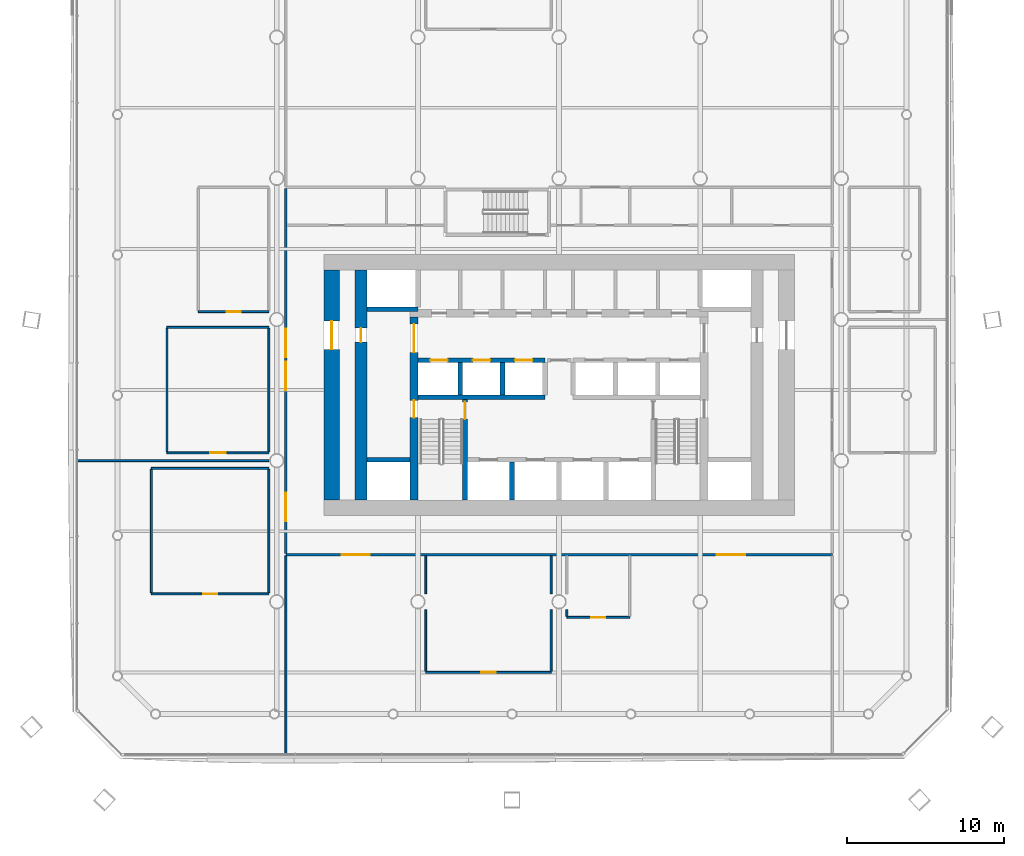
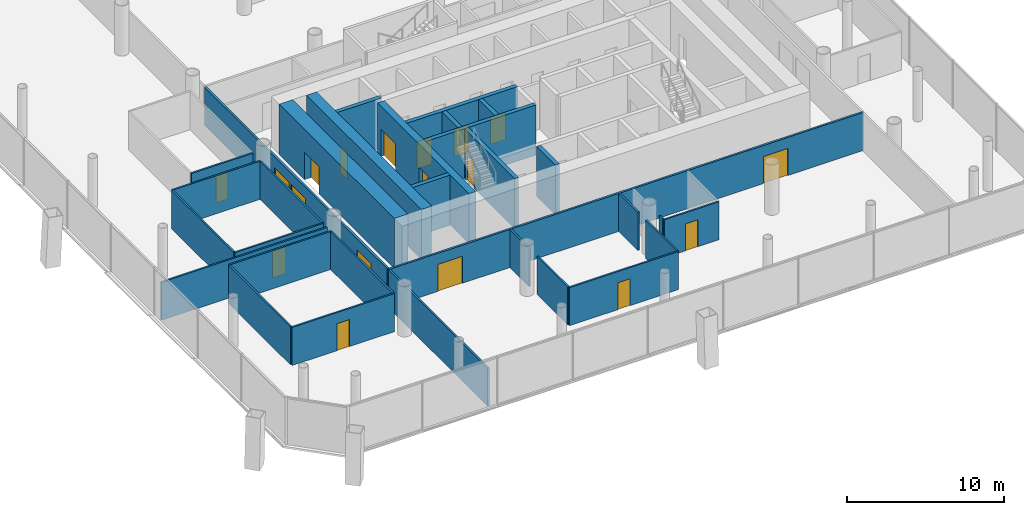
# One storey, part 15 of 23: 31 walls, 18 doors, 18 openings.
"""IFC4 building model written with IfcOpenShell, lengths in metres."""

from ifc_helpers import new_model, si_unit, direction, frame, frame_2d, origin, place, context, subcontext, project, spatial, rectangle, extrude, material, layer, layer_set, type_object, element, fill, save


model = new_model("IFC4")

# Units and contexts
model_context = context("Model", 3, precision=1e-05, world=origin(), true_north=direction((0.0, 1.0)))
body_context = subcontext(model_context, "Body", "Model", "MODEL_VIEW")
ifc_project = project(units=[si_unit("LENGTHUNIT", "METRE"), si_unit("AREAUNIT", "SQUARE_METRE"), si_unit("VOLUMEUNIT", "CUBIC_METRE"), si_unit("PLANEANGLEUNIT", "RADIAN"), si_unit("MASSUNIT", "GRAM", prefix="KILO")], contexts=[model_context])

# Site, building, storey
site_placement = place(None, origin())
site = spatial("IfcSite", under=ifc_project, at=site_placement, CompositionType="ELEMENT")
building_placement = place(site_placement, origin())
building = spatial("IfcBuilding", under=site, at=building_placement, Name="Tskaro Facet Tower", CompositionType="ELEMENT")
storey_placement = place(building_placement, frame((0.0, 0.0, 14.699951171875)))
storey = spatial("IfcBuildingStorey", under=building, at=storey_placement, Name="L02", CompositionType="ELEMENT", Elevation=14.699951171875)

# Walls
ifc_material_1 = material(Name="Concrete C60/75", Category="concrete")
ifc_layer_1 = layer(ifc_material_1, 0.300048828125, Name="Concrete C60/75")
ifc_layer_set_1 = layer_set([ifc_layer_1], Name="Concrete C60/75")
wall_type_1 = type_object("IfcWallType", Name="CORE-SHAFT", PredefinedType="SHEAR", material=ifc_layer_set_1)
wall_1_placement = place(storey_placement, frame((-12.25, -8.949951171875, 0.0), z_axis=(0.0, 0.0, 1.0), x_axis=(1.0, 0.0, 0.0)))
element("IfcWall", 1, at=wall_1_placement, inside=storey, type_object=wall_type_1, Name="Shaft wall W007", PredefinedType="SHEAR", context=body_context, shape_type="SweptSolid", body=[
    extrude(rectangle(XDim=2.75, YDim=0.300048828125, at=frame_2d((1.375, 0.0))), origin(), (0.0, 0.0, 1.0), 3.900146484375),
])
wall_2_placement = place(storey_placement, frame((-9.0, -4.949951171875, 0.0), z_axis=(0.0, 0.0, 1.0), x_axis=(1.0, 0.0, 0.0)))
element("IfcWall", 2, at=wall_2_placement, inside=storey, type_object=wall_type_1, Name="Shaft wall W012", PredefinedType="SHEAR", context=body_context, shape_type="SweptSolid", body=[
    extrude(rectangle(XDim=8.10009765625, YDim=0.300048828125, at=frame_2d((4.050048828125, 0.0))), origin(), (0.0, 0.0, 1.0), 3.900146484375),
])

# Wall, openings, doors
wall_3_placement = place(storey_placement, frame((-9.0, -2.60009765625, 0.0), z_axis=(0.0, 0.0, 1.0), x_axis=(1.0, 0.0, 0.0)))
wall_3 = element("IfcWall", 3, at=wall_3_placement, inside=storey, type_object=wall_type_1, Name="Shaft wall W014", PredefinedType="SHEAR", context=body_context, shape_type="SweptSolid", body=[
    extrude(rectangle(XDim=8.10009765625, YDim=0.300048828125, at=frame_2d((4.050048828125, 0.0))), origin(), (0.0, 0.0, 1.0), 3.900146484375),
])
opening_1_placement = place(wall_3_placement, frame((0.800048828125, 0.0, 0.0)))
opening_1 = element("IfcOpeningElement", 4, at=opening_1_placement, cuts=wall_3, Name="Opening LD-LR1", PredefinedType="OPENING", context=body_context, shape_type="SweptSolid", body=[
    extrude(rectangle(XDim=1.10009765625, YDim=2.10009765625, at=frame_2d((0.550048828125, 1.050048828125))), frame((0.0, 0.159912109375, 0.0), z_axis=(0.0, -1.0, 0.0), x_axis=(1.0, 0.0, 0.0)), (0.0, 0.0, 1.0), 0.320068359375),
])
opening_2_placement = place(wall_3_placement, frame((3.5, 0.0, 0.0)))
opening_2 = element("IfcOpeningElement", 5, at=opening_2_placement, cuts=wall_3, Name="Opening LD-LR2", PredefinedType="OPENING", context=body_context, shape_type="SweptSolid", body=[
    extrude(rectangle(XDim=1.10009765625, YDim=2.10009765625, at=frame_2d((0.550048828125, 1.050048828125))), frame((0.0, 0.159912109375, 0.0), z_axis=(0.0, -1.0, 0.0), x_axis=(1.0, 0.0, 0.0)), (0.0, 0.0, 1.0), 0.320068359375),
])
opening_3_placement = place(wall_3_placement, frame((6.199951171875, 0.0, 0.0)))
opening_3 = element("IfcOpeningElement", 6, at=opening_3_placement, cuts=wall_3, Name="Opening LD-LR3", PredefinedType="OPENING", context=body_context, shape_type="SweptSolid", body=[
    extrude(rectangle(XDim=1.10009765625, YDim=2.10009765625, at=frame_2d((0.550048828125, 1.050048828125))), frame((0.0, 0.159912109375, 0.0), z_axis=(0.0, -1.0, 0.0), x_axis=(1.0, 0.0, 0.0)), (0.0, 0.0, 1.0), 0.320068359375),
])
ifc_material_2 = material(Name="Stainless steel", Category="steel")
door_type_1 = type_object("IfcDoorType", Name="D-LANDING", OperationType="NOTDEFINED", PredefinedType="DOOR", material=ifc_material_2)
door_1_placement = place(opening_1_placement, origin())
door_1 = element("IfcDoor", 7, at=door_1_placement, inside=storey, type_object=door_type_1, Name="Landing door LR1", OperationType="DOUBLE_DOOR_SLIDING", OverallHeight=2.10009765625, OverallWidth=1.10009765625, PredefinedType="DOOR", context=body_context, shape_type="SweptSolid", body=[
    extrude(rectangle(XDim=1.10009765625, YDim=2.10009765625, at=frame_2d((0.550048828125, 1.050048828125))), frame((0.0, 0.02490234375, 0.0), z_axis=(0.0, -1.0, 0.0), x_axis=(1.0, 0.0, 0.0)), (0.0, 0.0, 1.0), 0.050048828125),
])
fill(opening_1, door_1)
door_2_placement = place(opening_2_placement, origin())
door_2 = element("IfcDoor", 8, at=door_2_placement, inside=storey, type_object=door_type_1, Name="Landing door LR2", OperationType="DOUBLE_DOOR_SLIDING", OverallHeight=2.10009765625, OverallWidth=1.10009765625, PredefinedType="DOOR", context=body_context, shape_type="SweptSolid", body=[
    extrude(rectangle(XDim=1.10009765625, YDim=2.10009765625, at=frame_2d((0.550048828125, 1.050048828125))), frame((0.0, 0.02490234375, 0.0), z_axis=(0.0, -1.0, 0.0), x_axis=(1.0, 0.0, 0.0)), (0.0, 0.0, 1.0), 0.050048828125),
])
fill(opening_2, door_2)
door_3_placement = place(opening_3_placement, origin())
door_3 = element("IfcDoor", 9, at=door_3_placement, inside=storey, type_object=door_type_1, Name="Landing door LR3", OperationType="DOUBLE_DOOR_SLIDING", OverallHeight=2.10009765625, OverallWidth=1.10009765625, PredefinedType="DOOR", context=body_context, shape_type="SweptSolid", body=[
    extrude(rectangle(XDim=1.10009765625, YDim=2.10009765625, at=frame_2d((0.550048828125, 1.050048828125))), frame((0.0, 0.02490234375, 0.0), z_axis=(0.0, -1.0, 0.0), x_axis=(1.0, 0.0, 0.0)), (0.0, 0.0, 1.0), 0.050048828125),
])
fill(opening_3, door_3)

# Walls
wall_4_placement = place(storey_placement, frame((-9.0, 0.64990234375, 0.0), z_axis=(0.0, 0.0, 1.0), x_axis=(-1.0, 0.0, 0.0)))
element("IfcWall", 10, at=wall_4_placement, inside=storey, type_object=wall_type_1, Name="Shaft wall W022", PredefinedType="SHEAR", context=body_context, shape_type="SweptSolid", body=[
    extrude(rectangle(XDim=3.25, YDim=0.300048828125, at=frame_2d((1.625, 0.0))), origin(), (0.0, 0.0, 1.0), 3.900146484375),
])
wall_5_placement = place(storey_placement, frame((-6.300048828125, -4.800048828125, 0.0), z_axis=(0.0, 0.0, 1.0), x_axis=(0.0, 1.0, 0.0)))
element("IfcWall", 11, at=wall_5_placement, inside=storey, type_object=wall_type_1, Name="Shaft wall W051", PredefinedType="SHEAR", context=body_context, shape_type="SweptSolid", body=[
    extrude(rectangle(XDim=2.050048828125, YDim=0.300048828125, at=frame_2d((1.02490234375, 0.0))), origin(), (0.0, 0.0, 1.0), 3.900146484375),
])

# Wall, opening, door
wall_6_placement = place(storey_placement, frame((-6.0, -11.5, 0.0), z_axis=(0.0, 0.0, 1.0), x_axis=(0.0, 1.0, 0.0)))
wall_6 = element("IfcWall", 12, at=wall_6_placement, inside=storey, type_object=wall_type_1, Name="Shaft wall W053", PredefinedType="SHEAR", context=body_context, shape_type="SweptSolid", body=[
    extrude(rectangle(XDim=6.39990234375, YDim=0.300048828125, at=frame_2d((3.199951171875, 0.0))), origin(), (0.0, 0.0, 1.0), 3.900146484375),
])
opening_4_placement = place(wall_6_placement, frame((5.14990234375, 0.0, 0.0)))
opening_4 = element("IfcOpeningElement", 13, at=opening_4_placement, cuts=wall_6, Name="Opening ST-1-D1", PredefinedType="OPENING", context=body_context, shape_type="SweptSolid", body=[
    extrude(rectangle(XDim=1.10009765625, YDim=2.10009765625, at=frame_2d((0.550048828125, 1.050048828125))), frame((0.0, 0.159912109375, 0.0), z_axis=(0.0, -1.0, 0.0), x_axis=(1.0, 0.0, 0.0)), (0.0, 0.0, 1.0), 0.320068359375),
])
ifc_material_3 = material(Name="Steel", Category="steel")
door_type_2 = type_object("IfcDoorType", Name="D-STAIR", OperationType="NOTDEFINED", PredefinedType="DOOR", material=ifc_material_3)
door_4_placement = place(opening_4_placement, origin())
door_4 = element("IfcDoor", 14, at=door_4_placement, inside=storey, type_object=door_type_2, Name="Stair door 1", OperationType="SINGLE_SWING_LEFT", OverallHeight=2.10009765625, OverallWidth=1.10009765625, PredefinedType="DOOR", context=body_context, shape_type="SweptSolid", body=[
    extrude(rectangle(XDim=1.10009765625, YDim=2.10009765625, at=frame_2d((0.550048828125, 1.050048828125))), frame((0.0, 0.02490234375, 0.0), z_axis=(0.0, -1.0, 0.0), x_axis=(1.0, 0.0, 0.0)), (0.0, 0.0, 1.0), 0.050048828125),
])
fill(opening_4, door_4)

# Walls
wall_7_placement = place(storey_placement, frame((-3.60009765625, -4.800048828125, 0.0), z_axis=(0.0, 0.0, 1.0), x_axis=(0.0, 1.0, 0.0)))
element("IfcWall", 15, at=wall_7_placement, inside=storey, type_object=wall_type_1, Name="Shaft wall W054", PredefinedType="SHEAR", context=body_context, shape_type="SweptSolid", body=[
    extrude(rectangle(XDim=2.050048828125, YDim=0.300048828125, at=frame_2d((1.02490234375, 0.0))), origin(), (0.0, 0.0, 1.0), 3.900146484375),
])
wall_8_placement = place(storey_placement, frame((-3.0, -11.5, 0.0), z_axis=(0.0, 0.0, 1.0), x_axis=(0.0, 1.0, 0.0)))
element("IfcWall", 16, at=wall_8_placement, inside=storey, type_object=wall_type_1, Name="Shaft wall W056", PredefinedType="SHEAR", context=body_context, shape_type="SweptSolid", body=[
    extrude(rectangle(XDim=2.39990234375, YDim=0.300048828125, at=frame_2d((1.199951171875, 0.0))), origin(), (0.0, 0.0, 1.0), 3.900146484375),
])

# Wall, opening, door
ifc_layer_2 = layer(ifc_material_1, 1.0, Name="Concrete C60/75")
ifc_layer_set_2 = layer_set([ifc_layer_2], Name="Concrete C60/75")
wall_type_2 = type_object("IfcWallType", Name="Core wall 1000", PredefinedType="SHEAR", material=ifc_layer_set_2)
wall_9_placement = place(storey_placement, frame((-14.5, -11.5, 0.0), z_axis=(0.0, 0.0, 1.0), x_axis=(0.0, 1.0, 0.0)))
wall_9 = element("IfcWall", 17, at=wall_9_placement, inside=storey, type_object=wall_type_2, Name="Core wall CW-Z1W", PredefinedType="SHEAR", context=body_context, shape_type="SweptSolid", body=[
    extrude(rectangle(XDim=14.64990234375, YDim=1.0, at=frame_2d((7.324951171875, 0.0))), origin(), (0.0, 0.0, 1.0), 3.900146484375),
])
opening_5_placement = place(wall_9_placement, frame((9.60009765625, 0.0, 0.0)))
opening_5 = element("IfcOpeningElement", 18, at=opening_5_placement, cuts=wall_9, Name="Opening T0-D17", PredefinedType="OPENING", context=body_context, shape_type="SweptSolid", body=[
    extrude(rectangle(XDim=1.800048828125, YDim=2.10009765625, at=frame_2d((0.89990234375, 1.050048828125))), frame((0.0, 0.510009765625, 0.0), z_axis=(0.0, -1.0, 0.0), x_axis=(1.0, 0.0, 0.0)), (0.0, 0.0, 1.0), 1.02001953125),
])
door_type_3 = type_object("IfcDoorType", Name="D-CORE-PAIR", OperationType="NOTDEFINED", PredefinedType="DOOR", material=ifc_material_3)
door_5_placement = place(opening_5_placement, origin())
door_5 = element("IfcDoor", 19, at=door_5_placement, inside=storey, type_object=door_type_3, Name="Door T0-D17", OperationType="DOUBLE_DOOR_SINGLE_SWING", OverallHeight=2.10009765625, OverallWidth=1.800048828125, PredefinedType="DOOR", context=body_context, shape_type="SweptSolid", body=[
    extrude(rectangle(XDim=1.800048828125, YDim=2.10009765625, at=frame_2d((0.89990234375, 1.050048828125))), frame((0.0, 0.02490234375, 0.0), z_axis=(0.0, -1.0, 0.0), x_axis=(1.0, 0.0, 0.0)), (0.0, 0.0, 1.0), 0.050048828125),
])
fill(opening_5, door_5)

# Wall, openings, doors
ifc_material_4 = material(Name="Concrete C40/50", Category="concrete")
ifc_layer_3 = layer(ifc_material_4, 0.5, Name="Concrete C40/50")
ifc_layer_set_3 = layer_set([ifc_layer_3], Name="Concrete C40/50")
wall_type_3 = type_object("IfcWallType", Name="Core wall 500", PredefinedType="SHEAR", material=ifc_layer_set_3)
wall_10_placement = place(storey_placement, frame((-9.25, -11.5, 0.0), z_axis=(0.0, 0.0, 1.0), x_axis=(0.0, 1.0, 0.0)))
wall_10 = element("IfcWall", 20, at=wall_10_placement, inside=storey, type_object=wall_type_3, Name="Core wall CW-Z3W", PredefinedType="SHEAR", context=body_context, shape_type="SweptSolid", body=[
    extrude(rectangle(XDim=11.64990234375, YDim=0.5, at=frame_2d((5.824951171875, 0.0))), origin(), (0.0, 0.0, 1.0), 3.900146484375),
])
opening_6_placement = place(wall_10_placement, frame((9.39990234375, 0.0, 0.0)))
opening_6 = element("IfcOpeningElement", 21, at=opening_6_placement, cuts=wall_10, Name="Opening T0-D15", PredefinedType="OPENING", context=body_context, shape_type="SweptSolid", body=[
    extrude(rectangle(XDim=1.800048828125, YDim=2.10009765625, at=frame_2d((0.89990234375, 1.050048828125))), frame((0.0, 0.260009765625, 0.0), z_axis=(0.0, -1.0, 0.0), x_axis=(1.0, 0.0, 0.0)), (0.0, 0.0, 1.0), 0.52001953125),
])
opening_7_placement = place(wall_10_placement, frame((5.25, 0.0, 0.0)))
opening_7 = element("IfcOpeningElement", 22, at=opening_7_placement, cuts=wall_10, Name="Opening ST-1-D2", PredefinedType="OPENING", context=body_context, shape_type="SweptSolid", body=[
    extrude(rectangle(XDim=1.10009765625, YDim=2.10009765625, at=frame_2d((0.550048828125, 1.050048828125))), frame((0.0, 0.260009765625, 0.0), z_axis=(0.0, -1.0, 0.0), x_axis=(1.0, 0.0, 0.0)), (0.0, 0.0, 1.0), 0.52001953125),
])
door_6_placement = place(opening_6_placement, origin())
door_6 = element("IfcDoor", 23, at=door_6_placement, inside=storey, type_object=door_type_3, Name="Door T0-D15", OperationType="DOUBLE_DOOR_SINGLE_SWING", OverallHeight=2.10009765625, OverallWidth=1.800048828125, PredefinedType="DOOR", context=body_context, shape_type="SweptSolid", body=[
    extrude(rectangle(XDim=1.800048828125, YDim=2.10009765625, at=frame_2d((0.89990234375, 1.050048828125))), frame((0.0, 0.02490234375, 0.0), z_axis=(0.0, -1.0, 0.0), x_axis=(1.0, 0.0, 0.0)), (0.0, 0.0, 1.0), 0.050048828125),
])
fill(opening_6, door_6)
door_7_placement = place(opening_7_placement, origin())
door_7 = element("IfcDoor", 24, at=door_7_placement, inside=storey, type_object=door_type_2, Name="Stair door 1 west", OperationType="SINGLE_SWING_LEFT", OverallHeight=2.10009765625, OverallWidth=1.10009765625, PredefinedType="DOOR", context=body_context, shape_type="SweptSolid", body=[
    extrude(rectangle(XDim=1.10009765625, YDim=2.10009765625, at=frame_2d((0.550048828125, 1.050048828125))), frame((0.0, 0.02490234375, 0.0), z_axis=(0.0, -1.0, 0.0), x_axis=(1.0, 0.0, 0.0)), (0.0, 0.0, 1.0), 0.050048828125),
])
fill(opening_7, door_7)

# Wall, opening, door
ifc_material_5 = material(Name="Concrete C50/60", Category="concrete")
ifc_layer_4 = layer(ifc_material_5, 0.75, Name="Concrete C50/60")
ifc_layer_set_4 = layer_set([ifc_layer_4], Name="Concrete C50/60")
wall_type_4 = type_object("IfcWallType", Name="Core wall 750", PredefinedType="SHEAR", material=ifc_layer_set_4)
wall_11_placement = place(storey_placement, frame((-12.625, -11.5, 0.0), z_axis=(0.0, 0.0, 1.0), x_axis=(0.0, 1.0, 0.0)))
wall_11 = element("IfcWall", 25, at=wall_11_placement, inside=storey, type_object=wall_type_4, Name="Core wall CW-Z2W", PredefinedType="SHEAR", context=body_context, shape_type="SweptSolid", body=[
    extrude(rectangle(XDim=14.64990234375, YDim=0.75, at=frame_2d((7.324951171875, 0.0))), origin(), (0.0, 0.0, 1.0), 3.900146484375),
])
opening_8_placement = place(wall_11_placement, frame((10.050048828125, 0.0, 0.0)))
opening_8 = element("IfcOpeningElement", 26, at=opening_8_placement, cuts=wall_11, Name="Opening T0-D18", PredefinedType="OPENING", context=body_context, shape_type="SweptSolid", body=[
    extrude(rectangle(XDim=0.89990234375, YDim=2.10009765625, at=frame_2d((0.449951171875, 1.050048828125))), frame((0.0, 0.385009765625, 0.0), z_axis=(0.0, -1.0, 0.0), x_axis=(1.0, 0.0, 0.0)), (0.0, 0.0, 1.0), 0.77001953125),
])
ifc_material_6 = material(Name="Timber", Category="wood")
door_type_4 = type_object("IfcDoorType", Name="D-ROOM", OperationType="NOTDEFINED", PredefinedType="DOOR", material=ifc_material_6)
door_8_placement = place(opening_8_placement, origin())
door_8 = element("IfcDoor", 27, at=door_8_placement, inside=storey, type_object=door_type_4, Name="Door T0-D18", OperationType="SINGLE_SWING_LEFT", OverallHeight=2.10009765625, OverallWidth=0.89990234375, PredefinedType="DOOR", context=body_context, shape_type="SweptSolid", body=[
    extrude(rectangle(XDim=0.89990234375, YDim=2.10009765625, at=frame_2d((0.449951171875, 1.050048828125))), frame((0.0, 0.02490234375, 0.0), z_axis=(0.0, -1.0, 0.0), x_axis=(1.0, 0.0, 0.0)), (0.0, 0.0, 1.0), 0.050048828125),
])
fill(opening_8, door_8)

ifc_material_7 = material(Name="Gypsum board on steel studs", Category="steel")
ifc_layer_5 = layer(ifc_material_7, 0.125, Name="Gypsum board on steel studs")
ifc_layer_set_5 = layer_set([ifc_layer_5], Name="Gypsum board on steel studs")
wall_type_5 = type_object("IfcWallType", Name="PART", PredefinedType="PARTITIONING", material=ifc_layer_set_5)
wall_12_placement = place(storey_placement, frame((-8.5, -22.5, 0.0), z_axis=(0.0, 0.0, 1.0), x_axis=(1.0, 0.0, 0.0)))
wall_12 = element("IfcWall", 28, at=wall_12_placement, inside=storey, type_object=wall_type_5, Name="Partition W001", PredefinedType="PARTITIONING", context=body_context, shape_type="SweptSolid", body=[
    extrude(rectangle(XDim=8.0, YDim=0.125, at=frame_2d((4.0, 0.0))), origin(), (0.0, 0.0, 1.0), 2.9599609375),
])
opening_9_placement = place(wall_12_placement, frame((3.550048828125, 0.0, 0.0)))
opening_9 = element("IfcOpeningElement", 29, at=opening_9_placement, cuts=wall_12, Name="Opening T0-D01", PredefinedType="OPENING", context=body_context, shape_type="SweptSolid", body=[
    extrude(rectangle(XDim=0.89990234375, YDim=2.10009765625, at=frame_2d((0.449951171875, 1.050048828125))), frame((0.0, 0.072509765625, 0.0), z_axis=(0.0, -1.0, 0.0), x_axis=(1.0, 0.0, 0.0)), (0.0, 0.0, 1.0), 0.14501953125),
])
door_9_placement = place(opening_9_placement, origin())
door_9 = element("IfcDoor", 30, at=door_9_placement, inside=storey, type_object=door_type_4, Name="Door T0-D01", OperationType="SINGLE_SWING_LEFT", OverallHeight=2.10009765625, OverallWidth=0.89990234375, PredefinedType="DOOR", context=body_context, shape_type="SweptSolid", body=[
    extrude(rectangle(XDim=0.89990234375, YDim=2.10009765625, at=frame_2d((0.449951171875, 1.050048828125))), frame((0.0, 0.02490234375, 0.0), z_axis=(0.0, -1.0, 0.0), x_axis=(1.0, 0.0, 0.0)), (0.0, 0.0, 1.0), 0.050048828125),
])
fill(opening_9, door_9)

wall_13_placement = place(storey_placement, frame((0.5, -19.0, 0.0), z_axis=(0.0, 0.0, 1.0), x_axis=(1.0, 0.0, 0.0)))
wall_13 = element("IfcWall", 31, at=wall_13_placement, inside=storey, type_object=wall_type_5, Name="Partition W002", PredefinedType="PARTITIONING", context=body_context, shape_type="SweptSolid", body=[
    extrude(rectangle(XDim=4.0, YDim=0.125, at=frame_2d((2.0, 0.0))), origin(), (0.0, 0.0, 1.0), 2.9599609375),
])
opening_10_placement = place(wall_13_placement, frame((1.550048828125, 0.0, 0.0)))
opening_10 = element("IfcOpeningElement", 32, at=opening_10_placement, cuts=wall_13, Name="Opening T0-D02", PredefinedType="OPENING", context=body_context, shape_type="SweptSolid", body=[
    extrude(rectangle(XDim=0.89990234375, YDim=2.10009765625, at=frame_2d((0.449951171875, 1.050048828125))), frame((0.0, 0.072509765625, 0.0), z_axis=(0.0, -1.0, 0.0), x_axis=(1.0, 0.0, 0.0)), (0.0, 0.0, 1.0), 0.14501953125),
])
door_10_placement = place(opening_10_placement, origin())
door_10 = element("IfcDoor", 33, at=door_10_placement, inside=storey, type_object=door_type_4, Name="Door T0-D02", OperationType="SINGLE_SWING_LEFT", OverallHeight=2.10009765625, OverallWidth=0.89990234375, PredefinedType="DOOR", context=body_context, shape_type="SweptSolid", body=[
    extrude(rectangle(XDim=0.89990234375, YDim=2.10009765625, at=frame_2d((0.449951171875, 1.050048828125))), frame((0.0, 0.02490234375, 0.0), z_axis=(0.0, -1.0, 0.0), x_axis=(1.0, 0.0, 0.0)), (0.0, 0.0, 1.0), 0.050048828125),
])
fill(opening_10, door_10)

wall_14_placement = place(storey_placement, frame((-26.0, -17.5, 0.0), z_axis=(0.0, 0.0, 1.0), x_axis=(1.0, 0.0, 0.0)))
wall_14 = element("IfcWall", 34, at=wall_14_placement, inside=storey, type_object=wall_type_5, Name="Partition W003", PredefinedType="PARTITIONING", context=body_context, shape_type="SweptSolid", body=[
    extrude(rectangle(XDim=7.5, YDim=0.125, at=frame_2d((3.75, 0.0))), origin(), (0.0, 0.0, 1.0), 2.9599609375),
])
opening_11_placement = place(wall_14_placement, frame((3.300048828125, 0.0, 0.0)))
opening_11 = element("IfcOpeningElement", 35, at=opening_11_placement, cuts=wall_14, Name="Opening T0-D03", PredefinedType="OPENING", context=body_context, shape_type="SweptSolid", body=[
    extrude(rectangle(XDim=0.89990234375, YDim=2.10009765625, at=frame_2d((0.449951171875, 1.050048828125))), frame((0.0, 0.072509765625, 0.0), z_axis=(0.0, -1.0, 0.0), x_axis=(1.0, 0.0, 0.0)), (0.0, 0.0, 1.0), 0.14501953125),
])
door_11_placement = place(opening_11_placement, origin())
door_11 = element("IfcDoor", 36, at=door_11_placement, inside=storey, type_object=door_type_4, Name="Door T0-D03", OperationType="SINGLE_SWING_LEFT", OverallHeight=2.10009765625, OverallWidth=0.89990234375, PredefinedType="DOOR", context=body_context, shape_type="SweptSolid", body=[
    extrude(rectangle(XDim=0.89990234375, YDim=2.10009765625, at=frame_2d((0.449951171875, 1.050048828125))), frame((0.0, 0.02490234375, 0.0), z_axis=(0.0, -1.0, 0.0), x_axis=(1.0, 0.0, 0.0)), (0.0, 0.0, 1.0), 0.050048828125),
])
fill(opening_11, door_11)

# Walls
wall_15_placement = place(storey_placement, frame((-26.0, -9.5, 0.0), z_axis=(0.0, 0.0, 1.0), x_axis=(1.0, 0.0, 0.0)))
element("IfcWall", 37, at=wall_15_placement, inside=storey, type_object=wall_type_5, Name="Partition W005", PredefinedType="PARTITIONING", context=body_context, shape_type="SweptSolid", body=[
    extrude(rectangle(XDim=7.5, YDim=0.125, at=frame_2d((3.75, 0.0))), origin(), (0.0, 0.0, 1.0), 2.9599609375),
])
wall_16_placement = place(storey_placement, frame((-30.699951171875, -9.0, 0.0), z_axis=(0.0, 0.0, 1.0), x_axis=(1.0, 0.0, 0.0)))
element("IfcWall", 38, at=wall_16_placement, inside=storey, type_object=wall_type_5, Name="Partition W006", PredefinedType="PARTITIONING", context=body_context, shape_type="SweptSolid", body=[
    extrude(rectangle(XDim=12.199951171875, YDim=0.125, at=frame_2d((6.10009765625, 0.0))), origin(), (0.0, 0.0, 1.0), 2.9599609375),
])

# Wall, opening, door
wall_17_placement = place(storey_placement, frame((-25.0, -8.5, 0.0), z_axis=(0.0, 0.0, 1.0), x_axis=(1.0, 0.0, 0.0)))
wall_17 = element("IfcWall", 39, at=wall_17_placement, inside=storey, type_object=wall_type_5, Name="Partition W010", PredefinedType="PARTITIONING", context=body_context, shape_type="SweptSolid", body=[
    extrude(rectangle(XDim=6.5, YDim=0.125, at=frame_2d((3.25, 0.0))), origin(), (0.0, 0.0, 1.0), 2.9599609375),
])
opening_12_placement = place(wall_17_placement, frame((2.75, 0.0, 0.0)))
opening_12 = element("IfcOpeningElement", 40, at=opening_12_placement, cuts=wall_17, Name="Opening T0-D09", PredefinedType="OPENING", context=body_context, shape_type="SweptSolid", body=[
    extrude(rectangle(XDim=1.0, YDim=2.10009765625, at=frame_2d((0.5, 1.050048828125))), frame((0.0, 0.072509765625, 0.0), z_axis=(0.0, -1.0, 0.0), x_axis=(1.0, 0.0, 0.0)), (0.0, 0.0, 1.0), 0.14501953125),
])
door_type_5 = type_object("IfcDoorType", Name="D-ROOM-WIDE", OperationType="NOTDEFINED", PredefinedType="DOOR", material=ifc_material_6)
door_12_placement = place(opening_12_placement, origin())
door_12 = element("IfcDoor", 41, at=door_12_placement, inside=storey, type_object=door_type_5, Name="Door T0-D09", OperationType="SINGLE_SWING_LEFT", OverallHeight=2.10009765625, OverallWidth=1.0, PredefinedType="DOOR", context=body_context, shape_type="SweptSolid", body=[
    extrude(rectangle(XDim=1.0, YDim=2.10009765625, at=frame_2d((0.5, 1.050048828125))), frame((0.0, 0.02490234375, 0.0), z_axis=(0.0, -1.0, 0.0), x_axis=(1.0, 0.0, 0.0)), (0.0, 0.0, 1.0), 0.050048828125),
])
fill(opening_12, door_12)

# Wall
wall_18_placement = place(storey_placement, frame((-25.0, -0.5, 0.0), z_axis=(0.0, 0.0, 1.0), x_axis=(1.0, 0.0, 0.0)))
element("IfcWall", 42, at=wall_18_placement, inside=storey, type_object=wall_type_5, Name="Partition W017", PredefinedType="PARTITIONING", context=body_context, shape_type="SweptSolid", body=[
    extrude(rectangle(XDim=6.5, YDim=0.125, at=frame_2d((3.25, 0.0))), origin(), (0.0, 0.0, 1.0), 2.9599609375),
])

# Wall, opening, door
wall_19_placement = place(storey_placement, frame((-23.0, 0.5, 0.0), z_axis=(0.0, 0.0, 1.0), x_axis=(1.0, 0.0, 0.0)))
wall_19 = element("IfcWall", 43, at=wall_19_placement, inside=storey, type_object=wall_type_5, Name="Partition W020", PredefinedType="PARTITIONING", context=body_context, shape_type="SweptSolid", body=[
    extrude(rectangle(XDim=4.5, YDim=0.125, at=frame_2d((2.25, 0.0))), origin(), (0.0, 0.0, 1.0), 2.9599609375),
])
opening_13_placement = place(wall_19_placement, frame((1.800048828125, 0.0, 0.0)))
opening_13 = element("IfcOpeningElement", 44, at=opening_13_placement, cuts=wall_19, Name="Opening T0-D28", PredefinedType="OPENING", context=body_context, shape_type="SweptSolid", body=[
    extrude(rectangle(XDim=0.89990234375, YDim=2.10009765625, at=frame_2d((0.449951171875, 1.050048828125))), frame((0.0, 0.072509765625, 0.0), z_axis=(0.0, -1.0, 0.0), x_axis=(1.0, 0.0, 0.0)), (0.0, 0.0, 1.0), 0.14501953125),
])
door_13_placement = place(opening_13_placement, origin())
door_13 = element("IfcDoor", 45, at=door_13_placement, inside=storey, type_object=door_type_4, Name="Door T0-D28", OperationType="SINGLE_SWING_LEFT", OverallHeight=2.10009765625, OverallWidth=0.89990234375, PredefinedType="DOOR", context=body_context, shape_type="SweptSolid", body=[
    extrude(rectangle(XDim=0.89990234375, YDim=2.10009765625, at=frame_2d((0.449951171875, 1.050048828125))), frame((0.0, 0.02490234375, 0.0), z_axis=(0.0, -1.0, 0.0), x_axis=(1.0, 0.0, 0.0)), (0.0, 0.0, 1.0), 0.050048828125),
])
fill(opening_13, door_13)

# Walls
for number, where, z_axis, x_axis, name in (
    (46, (-26.0, -17.4375, 0.0), (0.0, 0.0, 1.0), (0.0, 1.0, 0.0), "Partition W036"),
    (47, (-25.0, -8.4375, 0.0), (0.0, 0.0, 1.0), (0.0, 1.0, 0.0), "Partition W037"),
    (48, (-18.5, -17.4375, 0.0), (0.0, 0.0, 1.0), (0.0, 1.0, 0.0), "Partition W039"),
    (49, (-18.5, -8.4375, 0.0), (0.0, 0.0, 1.0), (0.0, 1.0, 0.0), "Partition W040"),
):
    element("IfcWall", number, at=place(storey_placement, frame(where, z_axis=z_axis, x_axis=x_axis)), inside=storey, type_object=wall_type_5, Name=name, PredefinedType="PARTITIONING", context=body_context, shape_type="SweptSolid", body=[
        extrude(rectangle(XDim=7.875, YDim=0.125, at=frame_2d((3.9375, 0.0))), origin(), (0.0, 0.0, 1.0), 2.9599609375),
    ])
wall_20_placement = place(storey_placement, frame((-17.425048828125, -27.699951171875, 0.0), z_axis=(0.0, 0.0, 1.0), x_axis=(0.0, 1.0, 0.0)))
element("IfcWall", 50, at=wall_20_placement, inside=storey, type_object=wall_type_5, Name="Partition W042", PredefinedType="PARTITIONING", context=body_context, shape_type="SweptSolid", body=[
    extrude(rectangle(XDim=12.625, YDim=0.125, at=frame_2d((6.3125, 0.0))), origin(), (0.0, 0.0, 1.0), 2.9599609375),
])
wall_21_placement = place(storey_placement, frame((-8.5, -22.4375, 0.0), z_axis=(0.0, 0.0, 1.0), x_axis=(0.0, 1.0, 0.0)))
element("IfcWall", 51, at=wall_21_placement, inside=storey, type_object=wall_type_5, Name="Partition W047", PredefinedType="PARTITIONING", context=body_context, shape_type="SweptSolid", body=[
    extrude(rectangle(XDim=3.9375, YDim=0.125, at=frame_2d((1.96875, 0.0))), origin(), (0.0, 0.0, 1.0), 2.9599609375),
])
wall_22_placement = place(storey_placement, frame((-8.5, -17.5, 0.0), z_axis=(0.0, 0.0, 1.0), x_axis=(0.0, 1.0, 0.0)))
element("IfcWall", 52, at=wall_22_placement, inside=storey, type_object=wall_type_5, Name="Partition W048", PredefinedType="PARTITIONING", context=body_context, shape_type="SweptSolid", body=[
    extrude(rectangle(XDim=2.425048828125, YDim=0.125, at=frame_2d((1.21240234375, 0.0))), origin(), (0.0, 0.0, 1.0), 2.9599609375),
])
wall_23_placement = place(storey_placement, frame((-0.5, -22.4375, 0.0), z_axis=(0.0, 0.0, 1.0), x_axis=(0.0, 1.0, 0.0)))
element("IfcWall", 53, at=wall_23_placement, inside=storey, type_object=wall_type_5, Name="Partition W060", PredefinedType="PARTITIONING", context=body_context, shape_type="SweptSolid", body=[
    extrude(rectangle(XDim=3.9375, YDim=0.125, at=frame_2d((1.96875, 0.0))), origin(), (0.0, 0.0, 1.0), 2.9599609375),
])
wall_24_placement = place(storey_placement, frame((-0.5, -17.5, 0.0), z_axis=(0.0, 0.0, 1.0), x_axis=(0.0, 1.0, 0.0)))
element("IfcWall", 54, at=wall_24_placement, inside=storey, type_object=wall_type_5, Name="Partition W061", PredefinedType="PARTITIONING", context=body_context, shape_type="SweptSolid", body=[
    extrude(rectangle(XDim=2.425048828125, YDim=0.125, at=frame_2d((1.21240234375, 0.0))), origin(), (0.0, 0.0, 1.0), 2.9599609375),
])
wall_25_placement = place(storey_placement, frame((0.5, -18.9375, 0.0), z_axis=(0.0, 0.0, 1.0), x_axis=(0.0, 1.0, 0.0)))
element("IfcWall", 55, at=wall_25_placement, inside=storey, type_object=wall_type_5, Name="Partition W064", PredefinedType="PARTITIONING", context=body_context, shape_type="SweptSolid", body=[
    extrude(rectangle(XDim=0.4375, YDim=0.125, at=frame_2d((0.21875, 0.0))), origin(), (0.0, 0.0, 1.0), 2.9599609375),
])

# Wall, openings, doors
ifc_layer_6 = layer(ifc_material_7, 0.14990234375, Name="Gypsum board on steel studs")
ifc_layer_set_6 = layer_set([ifc_layer_6], Name="Gypsum board on steel studs")
wall_type_6 = type_object("IfcWallType", Name="PART-CORR", PredefinedType="PARTITIONING", material=ifc_layer_set_6)
wall_26_placement = place(storey_placement, frame((-17.425048828125, -15.0, 0.0), z_axis=(0.0, 0.0, 1.0), x_axis=(1.0, 0.0, 0.0)))
wall_26 = element("IfcWall", 56, at=wall_26_placement, inside=storey, type_object=wall_type_6, Name="Corridor wall W004", PredefinedType="PARTITIONING", context=body_context, shape_type="SweptSolid", body=[
    extrude(rectangle(XDim=34.85009765625, YDim=0.14990234375, at=frame_2d((17.425048828125, 0.0))), origin(), (0.0, 0.0, 1.0), 2.9599609375),
])
opening_14_placement = place(wall_26_placement, frame((3.5625, 0.0, 0.0)))
opening_14 = element("IfcOpeningElement", 57, at=opening_14_placement, cuts=wall_26, Name="Opening T0-D04", PredefinedType="OPENING", context=body_context, shape_type="SweptSolid", body=[
    extrude(rectangle(XDim=1.800048828125, YDim=2.10009765625, at=frame_2d((0.89990234375, 1.050048828125))), frame((0.0, 0.0849609375, 0.0), z_axis=(0.0, -1.0, 0.0), x_axis=(1.0, 0.0, 0.0)), (0.0, 0.0, 1.0), 0.169921875),
])
opening_15_placement = place(wall_26_placement, frame((27.487548828125, 0.0, 0.0)))
opening_15 = element("IfcOpeningElement", 58, at=opening_15_placement, cuts=wall_26, Name="Opening T0-D05", PredefinedType="OPENING", context=body_context, shape_type="SweptSolid", body=[
    extrude(rectangle(XDim=1.800048828125, YDim=2.10009765625, at=frame_2d((0.89990234375, 1.050048828125))), frame((0.0, 0.0849609375, 0.0), z_axis=(0.0, -1.0, 0.0), x_axis=(1.0, 0.0, 0.0)), (0.0, 0.0, 1.0), 0.169921875),
])
ifc_material_8 = material(Name="Glass", Category="glass")
door_type_6 = type_object("IfcDoorType", Name="D-ENTRY-PAIR", OperationType="NOTDEFINED", PredefinedType="DOOR", material=ifc_material_8)
door_14_placement = place(opening_14_placement, origin())
door_14 = element("IfcDoor", 59, at=door_14_placement, inside=storey, type_object=door_type_6, Name="Door T0-D04", OperationType="DOUBLE_DOOR_SINGLE_SWING", OverallHeight=2.10009765625, OverallWidth=1.800048828125, PredefinedType="DOOR", context=body_context, shape_type="SweptSolid", body=[
    extrude(rectangle(XDim=1.800048828125, YDim=2.10009765625, at=frame_2d((0.89990234375, 1.050048828125))), frame((0.0, 0.02490234375, 0.0), z_axis=(0.0, -1.0, 0.0), x_axis=(1.0, 0.0, 0.0)), (0.0, 0.0, 1.0), 0.050048828125),
])
fill(opening_14, door_14)
door_15_placement = place(opening_15_placement, origin())
door_15 = element("IfcDoor", 60, at=door_15_placement, inside=storey, type_object=door_type_6, Name="Door T0-D05", OperationType="DOUBLE_DOOR_SINGLE_SWING", OverallHeight=2.10009765625, OverallWidth=1.800048828125, PredefinedType="DOOR", context=body_context, shape_type="SweptSolid", body=[
    extrude(rectangle(XDim=1.800048828125, YDim=2.10009765625, at=frame_2d((0.89990234375, 1.050048828125))), frame((0.0, 0.02490234375, 0.0), z_axis=(0.0, -1.0, 0.0), x_axis=(1.0, 0.0, 0.0)), (0.0, 0.0, 1.0), 0.050048828125),
])
fill(opening_15, door_15)

wall_27_placement = place(storey_placement, frame((-17.425048828125, 8.35009765625, 0.0), z_axis=(0.0, 0.0, 1.0), x_axis=(0.0, -1.0, 0.0)))
wall_27 = element("IfcWall", 61, at=wall_27_placement, inside=storey, type_object=wall_type_6, Name="Corridor wall W043", PredefinedType="PARTITIONING", context=body_context, shape_type="SweptSolid", body=[
    extrude(rectangle(XDim=23.275146484375, YDim=0.14990234375, at=frame_2d((11.6376953125, 0.0))), origin(), (0.0, 0.0, 1.0), 2.9599609375),
])
opening_16_placement = place(wall_27_placement, frame((19.41259765625, 0.0, 0.0)))
opening_16 = element("IfcOpeningElement", 62, at=opening_16_placement, cuts=wall_27, Name="Opening T0-D06", PredefinedType="OPENING", context=body_context, shape_type="SweptSolid", body=[
    extrude(rectangle(XDim=1.800048828125, YDim=2.10009765625, at=frame_2d((0.89990234375, 1.050048828125))), frame((0.0, 0.0849609375, 0.0), z_axis=(0.0, -1.0, 0.0), x_axis=(1.0, 0.0, 0.0)), (0.0, 0.0, 1.0), 0.169921875),
])
opening_17_placement = place(wall_27_placement, frame((8.949951171875, 0.0, 0.0)))
opening_17 = element("IfcOpeningElement", 63, at=opening_17_placement, cuts=wall_27, Name="Opening T0-D14", PredefinedType="OPENING", context=body_context, shape_type="SweptSolid", body=[
    extrude(rectangle(XDim=1.800048828125, YDim=2.10009765625, at=frame_2d((0.89990234375, 1.050048828125))), frame((0.0, 0.0849609375, 0.0), z_axis=(0.0, -1.0, 0.0), x_axis=(1.0, 0.0, 0.0)), (0.0, 0.0, 1.0), 0.169921875),
])
opening_18_placement = place(wall_27_placement, frame((11.050048828125, 0.0, 0.0)))
opening_18 = element("IfcOpeningElement", 64, at=opening_18_placement, cuts=wall_27, Name="Opening T0-D13", PredefinedType="OPENING", context=body_context, shape_type="SweptSolid", body=[
    extrude(rectangle(XDim=1.800048828125, YDim=2.10009765625, at=frame_2d((0.89990234375, 1.050048828125))), frame((0.0, 0.0849609375, 0.0), z_axis=(0.0, -1.0, 0.0), x_axis=(1.0, 0.0, 0.0)), (0.0, 0.0, 1.0), 0.169921875),
])
door_16_placement = place(opening_16_placement, origin())
door_16 = element("IfcDoor", 65, at=door_16_placement, inside=storey, type_object=door_type_6, Name="Door T0-D06", OperationType="DOUBLE_DOOR_SINGLE_SWING", OverallHeight=2.10009765625, OverallWidth=1.800048828125, PredefinedType="DOOR", context=body_context, shape_type="SweptSolid", body=[
    extrude(rectangle(XDim=1.800048828125, YDim=2.10009765625, at=frame_2d((0.89990234375, 1.050048828125))), frame((0.0, 0.02490234375, 0.0), z_axis=(0.0, -1.0, 0.0), x_axis=(1.0, 0.0, 0.0)), (0.0, 0.0, 1.0), 0.050048828125),
])
fill(opening_16, door_16)
door_17_placement = place(opening_17_placement, origin())
door_17 = element("IfcDoor", 66, at=door_17_placement, inside=storey, type_object=door_type_6, Name="Door T0-D14", OperationType="DOUBLE_DOOR_SINGLE_SWING", OverallHeight=2.10009765625, OverallWidth=1.800048828125, PredefinedType="DOOR", context=body_context, shape_type="SweptSolid", body=[
    extrude(rectangle(XDim=1.800048828125, YDim=2.10009765625, at=frame_2d((0.89990234375, 1.050048828125))), frame((0.0, 0.02490234375, 0.0), z_axis=(0.0, -1.0, 0.0), x_axis=(1.0, 0.0, 0.0)), (0.0, 0.0, 1.0), 0.050048828125),
])
fill(opening_17, door_17)
door_18_placement = place(opening_18_placement, origin())
door_18 = element("IfcDoor", 67, at=door_18_placement, inside=storey, type_object=door_type_6, Name="Door T0-D13", OperationType="DOUBLE_DOOR_SINGLE_SWING", OverallHeight=2.10009765625, OverallWidth=1.800048828125, PredefinedType="DOOR", context=body_context, shape_type="SweptSolid", body=[
    extrude(rectangle(XDim=1.800048828125, YDim=2.10009765625, at=frame_2d((0.89990234375, 1.050048828125))), frame((0.0, 0.02490234375, 0.0), z_axis=(0.0, -1.0, 0.0), x_axis=(1.0, 0.0, 0.0)), (0.0, 0.0, 1.0), 0.050048828125),
])
fill(opening_18, door_18)

save(model, "model.ifc")
